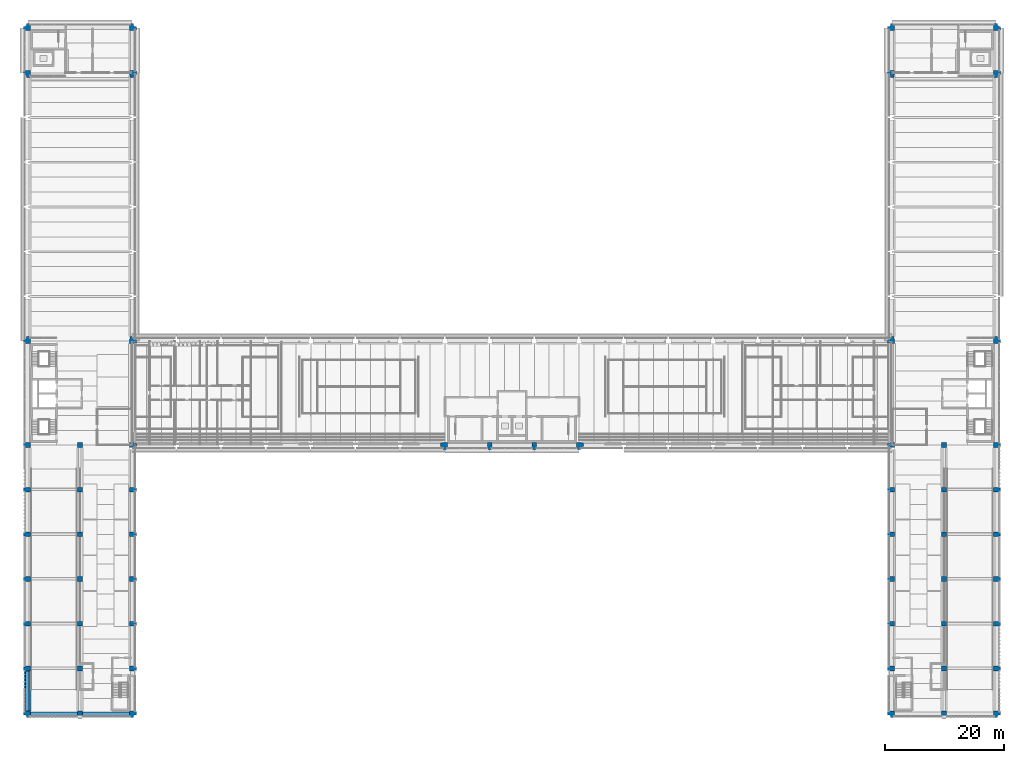
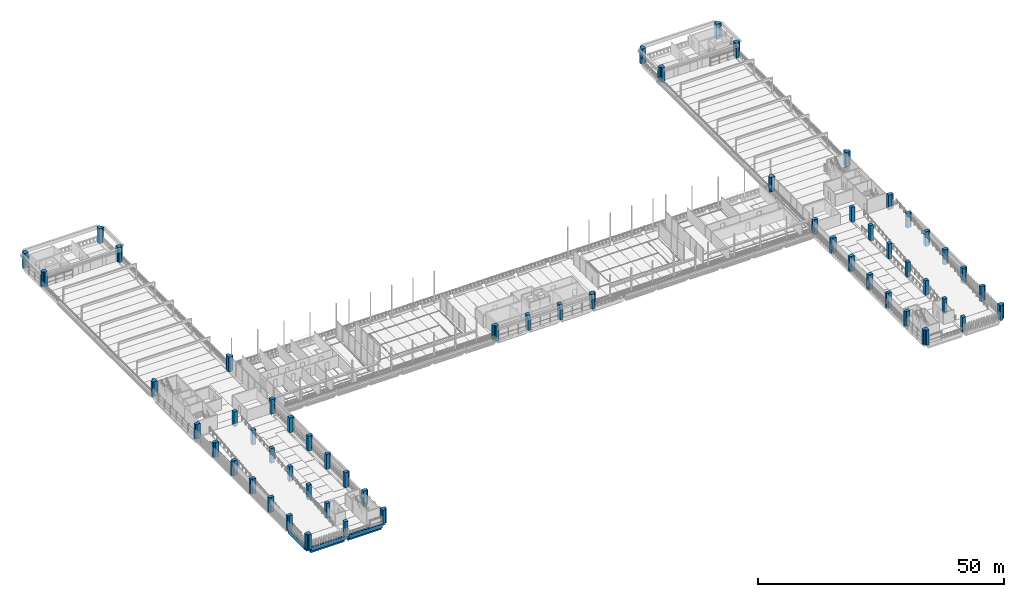
# One storey, part 1 of 62: 58 columns, 3 beams.
"""IFC4 building model written with IfcOpenShell, lengths in metres."""

from ifc_helpers import new_model, si_unit, direction, frame, origin, place, context, subcontext, project, spatial, polyline, outline, extrude, material, material_profile, profile_set, type_object, element, save


model = new_model("IFC4")

# Units and contexts
model_context = context("Model", 3, precision=1e-05, world=origin(), true_north=direction((0.0, 1.0)))
body_context = subcontext(model_context, "Body", "Model", "MODEL_VIEW")
ifc_project = project(units=[si_unit("LENGTHUNIT", "METRE"), si_unit("AREAUNIT", "SQUARE_METRE"), si_unit("VOLUMEUNIT", "CUBIC_METRE"), si_unit("PLANEANGLEUNIT", "RADIAN"), si_unit("MASSUNIT", "GRAM", prefix="KILO")], contexts=[model_context])

# Site, building, storey
site_placement = place(None, origin())
site = spatial("IfcSite", under=ifc_project, at=site_placement, CompositionType="ELEMENT")
building_placement = place(site_placement, origin())
building = spatial("IfcBuilding", under=site, at=building_placement, Name="Cour d'Honneur Mobility Palace", CompositionType="ELEMENT")
storey_placement = place(building_placement, frame((0.0, 0.0, 19.300048828125)))
storey = spatial("IfcBuildingStorey", under=building, at=storey_placement, Name="L05", CompositionType="ELEMENT", Elevation=19.300048828125)

# Columns
ifc_material_1 = material(Name="Concrete C50", Category="concrete")
ifc_material_profile_1 = material_profile(ifc_material_1, outline(polyline([(-0.39990234375, -0.39990234375), (0.39990234375, -0.39990234375), (0.39990234375, -0.300048828125), (0.75, -0.300048828125), (0.75, 0.300048828125), (0.39990234375, 0.300048828125), (0.39990234375, 0.39990234375), (0.300048828125, 0.39990234375), (0.300048828125, 0.75), (-0.300048828125, 0.75), (-0.300048828125, 0.39990234375), (-0.39990234375, 0.39990234375), (-0.39990234375, -0.39990234375)])), Name="PC C800 corner")
ifc_profile_set_1 = profile_set([ifc_material_profile_1], Name="Concrete C50")
column_type_1 = type_object("IfcColumnType", Name="Precast Column 800 corner", PredefinedType="COLUMN", material=ifc_profile_set_1)
for number, where, z_axis, x_axis, name in (
    (1, (0.0, 0.0, 0.0), (0.0, 0.0, 1.0), (-1.0, 0.0, 0.0), "Precast column C4 1/A L05"),
    (2, (17.39990234375, 0.0, 0.0), (0.0, 0.0, 1.0), (0.0, -1.0, 0.0), "Precast column C4 2/A L05"),
    (3, (144.89990234375, 0.0, 0.0), (0.0, 0.0, 1.0), (-1.0, 0.0, 0.0), "Precast column C4 19/A L05"),
    (4, (162.300048828125, 0.0, 0.0), (0.0, 0.0, 1.0), (0.0, -1.0, 0.0), "Precast column C4 20/A L05"),
    (5, (69.89990234375, 45.0, 0.0), (0.0, 0.0, 1.0), (-1.0, 0.0, 0.0), "Precast column C4 9/G L05"),
    (6, (92.39990234375, 45.0, 0.0), (0.0, 0.0, 1.0), (0.0, -1.0, 0.0), "Precast column C4 12/G L05"),
    (7, (0.0, 62.39990234375, 0.0), (0.0, 0.0, 1.0), (0.0, 1.0, 0.0), "Precast column C4 1/H L05"),
    (8, (17.39990234375, 62.39990234375, 0.0), (0.0, 0.0, 1.0), (1.0, 0.0, 0.0), "Precast column C4 2/H L05"),
    (9, (144.89990234375, 62.39990234375, 0.0), (0.0, 0.0, 1.0), (0.0, 1.0, 0.0), "Precast column C4 19/H L05"),
    (10, (162.300048828125, 62.39990234375, 0.0), (0.0, 0.0, 1.0), (1.0, 0.0, 0.0), "Precast column C4 20/H L05"),
    (11, (0.0, 107.39990234375, 0.0), (0.0, 0.0, 1.0), (-1.0, 0.0, 0.0), "Precast column C4 1/P L05"),
    (12, (17.39990234375, 107.39990234375, 0.0), (0.0, 0.0, 1.0), (0.0, -1.0, 0.0), "Precast column C4 2/P L05"),
    (13, (144.89990234375, 107.39990234375, 0.0), (0.0, 0.0, 1.0), (-1.0, 0.0, 0.0), "Precast column C4 19/P L05"),
    (14, (162.300048828125, 107.39990234375, 0.0), (0.0, 0.0, 1.0), (0.0, -1.0, 0.0), "Precast column C4 20/P L05"),
    (15, (0.0, 114.89990234375, 0.0), (0.0, 0.0, 1.0), (0.0, 1.0, 0.0), "Precast column C4 1/Q L05"),
    (16, (17.39990234375, 114.89990234375, 0.0), (0.0, 0.0, 1.0), (1.0, 0.0, 0.0), "Precast column C4 2/Q L05"),
    (17, (144.89990234375, 114.89990234375, 0.0), (0.0, 0.0, 1.0), (0.0, 1.0, 0.0), "Precast column C4 19/Q L05"),
    (18, (162.300048828125, 114.89990234375, 0.0), (0.0, 0.0, 1.0), (1.0, 0.0, 0.0), "Precast column C4 20/Q L05"),
):
    element("IfcColumn", number, at=place(storey_placement, frame(where, z_axis=z_axis, x_axis=x_axis)), inside=storey, type_object=column_type_1, Name=name, PredefinedType="COLUMN", context=body_context, shape_type="SweptSolid", body=[
        extrude(outline(polyline([(-0.39990234375, -0.39990234375), (0.39990234375, -0.39990234375), (0.39990234375, -0.300048828125), (0.75, -0.300048828125), (0.75, 0.300048828125), (0.39990234375, 0.300048828125), (0.39990234375, 0.39990234375), (0.300048828125, 0.39990234375), (0.300048828125, 0.75), (-0.300048828125, 0.75), (-0.300048828125, 0.39990234375), (-0.39990234375, 0.39990234375), (-0.39990234375, -0.39990234375)])), origin(), (0.0, 0.0, 1.0), 3.699951171875),
    ])
ifc_material_2 = material(Name="Concrete C50", Category="concrete")
ifc_material_profile_2 = material_profile(ifc_material_2, outline(polyline([(-0.39990234375, -0.39990234375), (0.39990234375, -0.39990234375), (0.39990234375, -0.300048828125), (0.75, -0.300048828125), (0.75, 0.300048828125), (0.39990234375, 0.300048828125), (0.39990234375, 0.39990234375), (-0.39990234375, 0.39990234375), (-0.39990234375, -0.39990234375)])), Name="PC C800 pilaster")
ifc_profile_set_2 = profile_set([ifc_material_profile_2], Name="Concrete C50")
column_type_2 = type_object("IfcColumnType", Name="Precast Column 800 pilaster", PredefinedType="COLUMN", material=ifc_profile_set_2)
for number, where, z_axis, x_axis, name in (
    (19, (0.0, 7.5, 0.0), (0.0, 0.0, 1.0), (-1.0, 0.0, 0.0), "Precast column C6 1/B L05"),
    (20, (17.39990234375, 7.5, 0.0), (0.0, 0.0, 1.0), (1.0, 0.0, 0.0), "Precast column C6 2/B L05"),
    (21, (144.89990234375, 7.5, 0.0), (0.0, 0.0, 1.0), (-1.0, 0.0, 0.0), "Precast column C6 19/B L05"),
    (22, (162.300048828125, 7.5, 0.0), (0.0, 0.0, 1.0), (1.0, 0.0, 0.0), "Precast column C6 20/B L05"),
    (23, (0.0, 15.0, 0.0), (0.0, 0.0, 1.0), (-1.0, 0.0, 0.0), "Precast column C6 1/C L05"),
    (24, (17.39990234375, 15.0, 0.0), (0.0, 0.0, 1.0), (1.0, 0.0, 0.0), "Precast column C6 2/C L05"),
    (25, (144.89990234375, 15.0, 0.0), (0.0, 0.0, 1.0), (-1.0, 0.0, 0.0), "Precast column C6 19/C L05"),
    (26, (162.300048828125, 15.0, 0.0), (0.0, 0.0, 1.0), (1.0, 0.0, 0.0), "Precast column C6 20/C L05"),
    (27, (0.0, 22.5, 0.0), (0.0, 0.0, 1.0), (-1.0, 0.0, 0.0), "Precast column C6 1/D L05"),
    (28, (17.39990234375, 22.5, 0.0), (0.0, 0.0, 1.0), (1.0, 0.0, 0.0), "Precast column C6 2/D L05"),
    (29, (144.89990234375, 22.5, 0.0), (0.0, 0.0, 1.0), (-1.0, 0.0, 0.0), "Precast column C6 19/D L05"),
    (30, (162.300048828125, 22.5, 0.0), (0.0, 0.0, 1.0), (1.0, 0.0, 0.0), "Precast column C6 20/D L05"),
    (31, (0.0, 30.0, 0.0), (0.0, 0.0, 1.0), (-1.0, 0.0, 0.0), "Precast column C6 1/E L05"),
    (32, (17.39990234375, 30.0, 0.0), (0.0, 0.0, 1.0), (1.0, 0.0, 0.0), "Precast column C6 2/E L05"),
    (33, (144.89990234375, 30.0, 0.0), (0.0, 0.0, 1.0), (-1.0, 0.0, 0.0), "Precast column C6 19/E L05"),
    (34, (162.300048828125, 30.0, 0.0), (0.0, 0.0, 1.0), (1.0, 0.0, 0.0), "Precast column C6 20/E L05"),
    (35, (0.0, 37.5, 0.0), (0.0, 0.0, 1.0), (-1.0, 0.0, 0.0), "Precast column C6 1/F L05"),
    (36, (17.39990234375, 37.5, 0.0), (0.0, 0.0, 1.0), (1.0, 0.0, 0.0), "Precast column C6 2/F L05"),
    (37, (144.89990234375, 37.5, 0.0), (0.0, 0.0, 1.0), (-1.0, 0.0, 0.0), "Precast column C6 19/F L05"),
    (38, (162.300048828125, 37.5, 0.0), (0.0, 0.0, 1.0), (1.0, 0.0, 0.0), "Precast column C6 20/F L05"),
    (39, (0.0, 45.0, 0.0), (0.0, 0.0, 1.0), (-1.0, 0.0, 0.0), "Precast column C6 1/G L05"),
    (40, (17.39990234375, 45.0, 0.0), (0.0, 0.0, 1.0), (1.0, 0.0, 0.0), "Precast column C6 2/G L05"),
    (41, (77.39990234375, 45.0, 0.0), (0.0, 0.0, 1.0), (0.0, -1.0, 0.0), "Precast column C6 10/G L05"),
    (42, (84.89990234375, 45.0, 0.0), (0.0, 0.0, 1.0), (0.0, -1.0, 0.0), "Precast column C6 11/G L05"),
    (43, (144.89990234375, 45.0, 0.0), (0.0, 0.0, 1.0), (-1.0, 0.0, 0.0), "Precast column C6 19/G L05"),
    (44, (162.300048828125, 45.0, 0.0), (0.0, 0.0, 1.0), (1.0, 0.0, 0.0), "Precast column C6 20/G L05"),
):
    element("IfcColumn", number, at=place(storey_placement, frame(where, z_axis=z_axis, x_axis=x_axis)), inside=storey, type_object=column_type_2, Name=name, PredefinedType="COLUMN", context=body_context, shape_type="SweptSolid", body=[
        extrude(outline(polyline([(-0.39990234375, -0.39990234375), (0.39990234375, -0.39990234375), (0.39990234375, -0.300048828125), (0.75, -0.300048828125), (0.75, 0.300048828125), (0.39990234375, 0.300048828125), (0.39990234375, 0.39990234375), (-0.39990234375, 0.39990234375), (-0.39990234375, -0.39990234375)])), origin(), (0.0, 0.0, 1.0), 3.699951171875),
    ])
ifc_material_3 = material(Name="Concrete C50", Category="concrete")
ifc_material_profile_3 = material_profile(ifc_material_3, outline(polyline([(-0.39990234375, -0.39990234375), (0.39990234375, -0.39990234375), (0.39990234375, 0.39990234375), (-0.39990234375, 0.39990234375), (-0.39990234375, -0.39990234375)])), Name="PC C800 plain")
ifc_profile_set_3 = profile_set([ifc_material_profile_3], Name="Concrete C50")
column_type_3 = type_object("IfcColumnType", Name="Precast Column 800 plain", PredefinedType="COLUMN", material=ifc_profile_set_3)
for number, where, z_axis, x_axis, name in (
    (45, (8.699951171875, 0.0, 0.0), (0.0, 0.0, 1.0), (1.0, 0.0, 0.0), "Precast column C5 1A/A L05"),
    (46, (153.60009765625, 0.0, 0.0), (0.0, 0.0, 1.0), (1.0, 0.0, 0.0), "Precast column C5 19A/A L05"),
    (47, (8.699951171875, 7.5, 0.0), (0.0, 0.0, 1.0), (1.0, 0.0, 0.0), "Precast column C5 1A/B L05"),
    (48, (153.60009765625, 7.5, 0.0), (0.0, 0.0, 1.0), (1.0, 0.0, 0.0), "Precast column C5 19A/B L05"),
    (49, (8.699951171875, 15.0, 0.0), (0.0, 0.0, 1.0), (1.0, 0.0, 0.0), "Precast column C5 1A/C L05"),
    (50, (153.60009765625, 15.0, 0.0), (0.0, 0.0, 1.0), (1.0, 0.0, 0.0), "Precast column C5 19A/C L05"),
    (51, (8.699951171875, 22.5, 0.0), (0.0, 0.0, 1.0), (1.0, 0.0, 0.0), "Precast column C5 1A/D L05"),
    (52, (153.60009765625, 22.5, 0.0), (0.0, 0.0, 1.0), (1.0, 0.0, 0.0), "Precast column C5 19A/D L05"),
    (53, (8.699951171875, 30.0, 0.0), (0.0, 0.0, 1.0), (1.0, 0.0, 0.0), "Precast column C5 1A/E L05"),
    (54, (153.60009765625, 30.0, 0.0), (0.0, 0.0, 1.0), (1.0, 0.0, 0.0), "Precast column C5 19A/E L05"),
    (55, (8.699951171875, 37.5, 0.0), (0.0, 0.0, 1.0), (1.0, 0.0, 0.0), "Precast column C5 1A/F L05"),
    (56, (153.60009765625, 37.5, 0.0), (0.0, 0.0, 1.0), (1.0, 0.0, 0.0), "Precast column C5 19A/F L05"),
    (57, (8.699951171875, 45.0, 0.0), (0.0, 0.0, 1.0), (1.0, 0.0, 0.0), "Precast column C5 1A/G L05"),
    (58, (153.60009765625, 45.0, 0.0), (0.0, 0.0, 1.0), (1.0, 0.0, 0.0), "Precast column C5 19A/G L05"),
):
    element("IfcColumn", number, at=place(storey_placement, frame(where, z_axis=z_axis, x_axis=x_axis)), inside=storey, type_object=column_type_3, Name=name, PredefinedType="COLUMN", context=body_context, shape_type="SweptSolid", body=[
        extrude(outline(polyline([(-0.39990234375, -0.39990234375), (0.39990234375, -0.39990234375), (0.39990234375, 0.39990234375), (-0.39990234375, 0.39990234375), (-0.39990234375, -0.39990234375)])), origin(), (0.0, 0.0, 1.0), 3.699951171875),
    ])

# Beams
ifc_material_4 = material(Name="Concrete C45", Category="concrete")
ifc_material_profile_4 = material_profile(ifc_material_4, outline(polyline([(0.22509765625, -1.300048828125), (0.22509765625, 0.0), (-0.22509765625, 0.0), (-0.449951171875, 0.0), (-0.449951171875, 0.300048828125), (-0.64990234375, 0.300048828125), (-0.64990234375, -0.60009765625), (-0.22509765625, -0.60009765625), (-0.22509765625, -1.300048828125), (0.22509765625, -1.300048828125)])), Name="Edge Spandrel Beam 450x1300 no ledge facade right")
ifc_profile_set_4 = profile_set([ifc_material_profile_4], Name="Concrete C45")
beam_type_1 = type_object("IfcBeamType", Name="Edge Spandrel Beam 450x1300 no ledge facade right", PredefinedType="SPANDREL", material=ifc_profile_set_4)
beam_1_placement = place(storey_placement, frame((0.39990234375, 0.0, 0.0), z_axis=(1.0, 0.0, 0.0), x_axis=(0.0, 1.0, 0.0)))
element("IfcBeam", 59, at=beam_1_placement, inside=storey, type_object=beam_type_1, Name="Precast beam B1 1-1A L05", PredefinedType="SPANDREL", context=body_context, shape_type="SweptSolid", body=[
    extrude(outline(polyline([(0.22509765625, -1.300048828125), (0.22509765625, 0.0), (-0.22509765625, 0.0), (-0.449951171875, 0.0), (-0.449951171875, 0.300048828125), (-0.64990234375, 0.300048828125), (-0.64990234375, -0.60009765625), (-0.22509765625, -0.60009765625), (-0.22509765625, -1.300048828125), (0.22509765625, -1.300048828125)])), origin(), (0.0, 0.0, 1.0), 7.900146484375),
])
beam_2_placement = place(storey_placement, frame((9.10009765625, 0.0, 0.0), z_axis=(1.0, 0.0, 0.0), x_axis=(0.0, 1.0, 0.0)))
element("IfcBeam", 60, at=beam_2_placement, inside=storey, type_object=beam_type_1, Name="Precast beam B1 1A-2 L05", PredefinedType="SPANDREL", context=body_context, shape_type="SweptSolid", body=[
    extrude(outline(polyline([(0.22509765625, -1.300048828125), (0.22509765625, 0.0), (-0.22509765625, 0.0), (-0.449951171875, 0.0), (-0.449951171875, 0.300048828125), (-0.64990234375, 0.300048828125), (-0.64990234375, -0.60009765625), (-0.22509765625, -0.60009765625), (-0.22509765625, -1.300048828125), (0.22509765625, -1.300048828125)])), origin(), (0.0, 0.0, 1.0), 7.89990234375),
])
ifc_material_5 = material(Name="Concrete C45", Category="concrete")
ifc_material_profile_5 = material_profile(ifc_material_5, outline(polyline([(0.199951171875, -1.10009765625), (0.199951171875, -0.60009765625), (0.64990234375, -0.60009765625), (0.64990234375, 0.300048828125), (0.449951171875, 0.300048828125), (0.449951171875, 0.0), (0.199951171875, 0.0), (-0.199951171875, 0.0), (-0.199951171875, -0.800048828125), (-0.5, -0.800048828125), (-0.5, -1.10009765625), (0.199951171875, -1.10009765625)])), Name="Ledger Beam 400x1100 ledge right 300 facade left")
ifc_profile_set_5 = profile_set([ifc_material_profile_5], Name="Concrete C45")
beam_type_2 = type_object("IfcBeamType", Name="Ledger Beam 400x1100 ledge right 300 facade left", PredefinedType="BEAM", material=ifc_profile_set_5)
beam_3_placement = place(storey_placement, frame((0.0, 0.39990234375, 0.0), z_axis=(0.0, 1.0, 0.0), x_axis=(-1.0, 0.0, 0.0)))
element("IfcBeam", 61, at=beam_3_placement, inside=storey, type_object=beam_type_2, Name="Precast beam B6 A-B L05", PredefinedType="BEAM", context=body_context, shape_type="SweptSolid", body=[
    extrude(outline(polyline([(0.199951171875, -1.10009765625), (0.199951171875, -0.60009765625), (0.64990234375, -0.60009765625), (0.64990234375, 0.300048828125), (0.449951171875, 0.300048828125), (0.449951171875, 0.0), (0.199951171875, 0.0), (-0.199951171875, 0.0), (-0.199951171875, -0.800048828125), (-0.5, -0.800048828125), (-0.5, -1.10009765625), (0.199951171875, -1.10009765625)])), origin(), (0.0, 0.0, 1.0), 6.7001953125),
])

save(model, "model.ifc")
